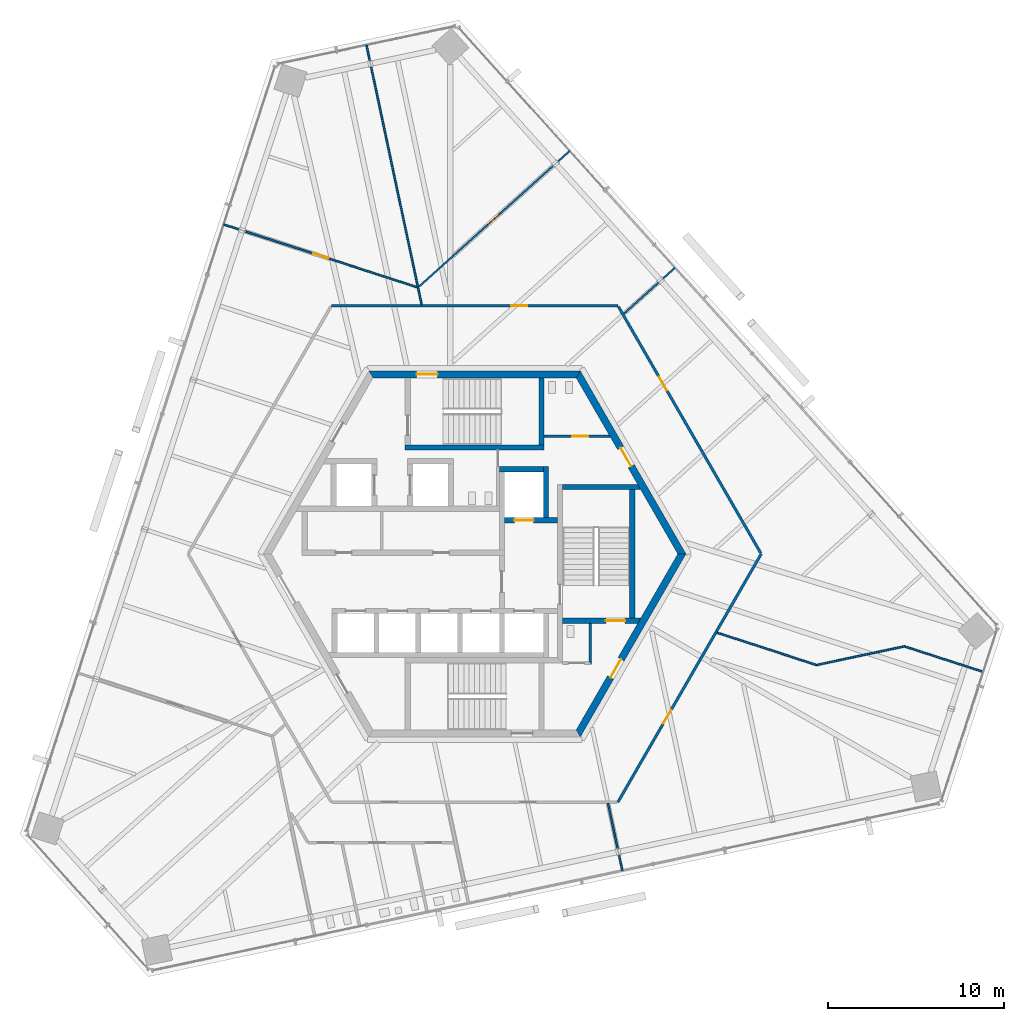
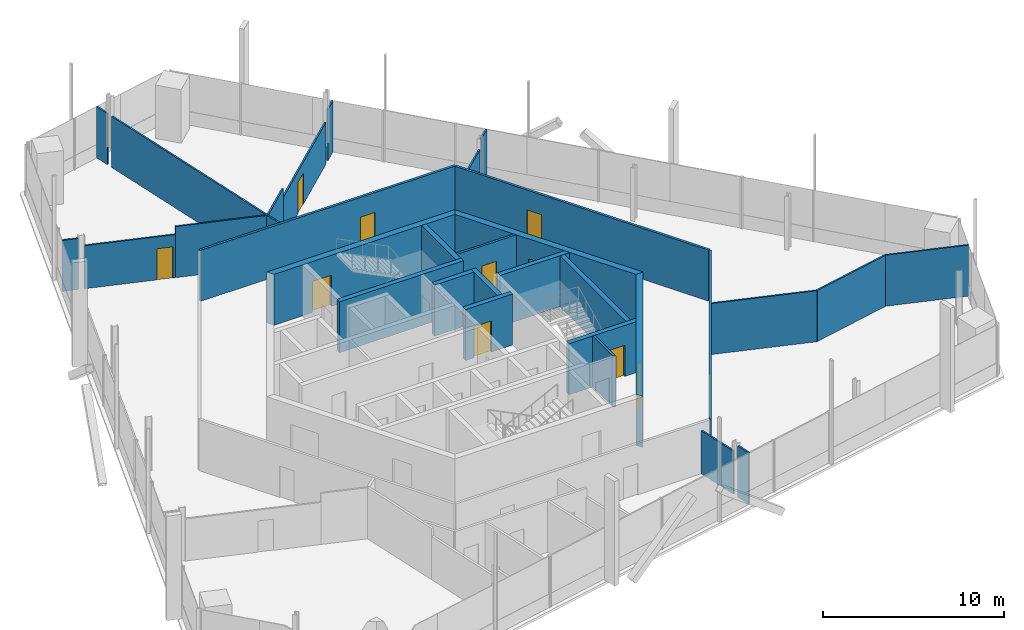
# One storey, part 12 of 17: 31 walls, 11 doors, 11 openings.
"""IFC4 building model written with IfcOpenShell, lengths in metres."""

from ifc_helpers import new_model, si_unit, direction, frame, frame_2d, origin, place, context, subcontext, project, spatial, polyline, rectangle, outline, extrude, source, transform, mapped, material, layer, layer_set, type_object, element, fill, save


model = new_model("IFC4")

# Units and contexts
model_context = context("Model", 3, precision=1e-05, world=origin(), true_north=direction((0.0, 1.0)))
body_context = subcontext(model_context, "Body", "Model", "MODEL_VIEW")
ifc_project = project(units=[si_unit("LENGTHUNIT", "METRE"), si_unit("AREAUNIT", "SQUARE_METRE"), si_unit("VOLUMEUNIT", "CUBIC_METRE"), si_unit("PLANEANGLEUNIT", "RADIAN"), si_unit("MASSUNIT", "GRAM", prefix="KILO")], contexts=[model_context])

# Site, building, storey
site_placement = place(None, origin())
site = spatial("IfcSite", under=ifc_project, at=site_placement, CompositionType="ELEMENT")
building_placement = place(site_placement, origin())
building = spatial("IfcBuilding", under=site, at=building_placement, Name="Triune Harvest Tower", CompositionType="ELEMENT")
storey_placement = place(building_placement, frame((0.0, 0.0, 273.89990234375)))
storey = spatial("IfcBuildingStorey", under=building, at=storey_placement, Name="L72", CompositionType="ELEMENT", Elevation=273.89990234375)

# Wall, opening, door
ifc_material_1 = material(Name="Gypsum board on steel studs", Category="steel")
ifc_layer_1 = layer(ifc_material_1, 0.14990234375)
ifc_layer_set_1 = layer_set([ifc_layer_1], Name="Gypsum board on steel studs")
wall_type_1 = type_object("IfcWallType", Name="Fire Partition 150 mm", PredefinedType="PARTITIONING", material=ifc_layer_set_1)
wall_1_placement = place(storey_placement, frame((8.161376953125, 14.048583984375, 0.0), z_axis=(0.0, 0.0, 1.0), x_axis=(0.500027814178, -0.866009344666, 0.0)))
wall_1 = element("IfcWall", 1, at=wall_1_placement, inside=storey, type_object=wall_type_1, Name="Partition L72 013", PredefinedType="PARTITIONING", context=body_context, shape_type="SweptSolid", body=[
    extrude(rectangle(XDim=16.17138671875, YDim=0.14990234375, at=frame_2d((8.085693359375, 0.0))), origin(), (0.0, 0.0, 1.0), 3.440185546875),
])
opening_1_placement = place(wall_1_placement, frame((4.604248046875, 0.0, 0.0)))
opening_1 = element("IfcOpeningElement", 2, at=opening_1_placement, cuts=wall_1, Name="Opening L72-001", PredefinedType="OPENING", context=body_context, shape_type="SweptSolid", body=[
    extrude(rectangle(XDim=0.89990234375, YDim=2.10009765625, at=frame_2d((0.449951171875, 1.050048828125))), frame((0.0, 0.0849609375, 0.0), z_axis=(0.0, -1.0, 0.0), x_axis=(1.0, 0.0, 0.0)), (0.0, 0.0, 1.0), 0.169921875),
])
ifc_material_2 = material(Name="Timber and steel door set", Category="steel")
door_type_1 = type_object("IfcDoorType", Name="Single leaf door FD30 left hand 900 x 2100", OperationType="SINGLE_SWING_LEFT", PredefinedType="DOOR", material=ifc_material_2)
door_1_placement = place(opening_1_placement, origin())
door_1 = element("IfcDoor", 3, at=door_1_placement, inside=storey, type_object=door_type_1, Name="Door L72-001 Open Office 72.01", OperationType="SINGLE_SWING_LEFT", OverallHeight=2.10009765625, OverallWidth=0.89990234375, PredefinedType="DOOR", context=body_context, shape_type="SweptSolid", body=[
    extrude(rectangle(XDim=0.89990234375, YDim=2.10009765625, at=frame_2d((0.449951171875, 1.050048828125))), frame((0.0, 0.02490234375, 0.0), z_axis=(0.0, -1.0, 0.0), x_axis=(1.0, 0.0, 0.0)), (0.0, 0.0, 1.0), 0.050048828125),
])
fill(opening_1, door_1)

# Walls
ifc_material_3 = material(Name="Gypsum board on steel studs", Category="steel")
ifc_layer_2 = layer(ifc_material_3, 0.10009765625)
ifc_layer_set_2 = layer_set([ifc_layer_2], Name="Gypsum board on steel studs")
wall_type_2 = type_object("IfcWallType", Name="Partition 100 mm", PredefinedType="PARTITIONING", material=ifc_layer_set_2)
wall_2_placement = place(storey_placement, frame((-5.880126953125, 27.66357421875, 0.0), z_axis=(0.0, 0.0, 1.0), x_axis=(0.207913962391, -0.978147117893, 0.0)))
element("IfcWall", 4, at=wall_2_placement, inside=storey, type_object=wall_type_2, Name="Partition L72 008", PredefinedType="PARTITIONING", context=body_context, shape_type="SweptSolid", body=[
    extrude(rectangle(XDim=13.804443359375, YDim=0.10009765625, at=frame_2d((6.90234375, 0.0))), origin(), (0.0, 0.0, 1.0), 3.440185546875),
])
wall_3_placement = place(storey_placement, frame((13.768798828125, -4.472412109375, 0.0), z_axis=(0.0, 0.0, 1.0), x_axis=(0.950992667971, -0.30921343028, 0.0)))
element("IfcWall", 5, at=wall_3_placement, inside=storey, type_object=wall_type_2, Name="Partition L72 016", PredefinedType="PARTITIONING", context=body_context, shape_type="SweptSolid", body=[
    extrude(rectangle(XDim=5.938232421875, YDim=0.10009765625, at=frame_2d((2.96923828125, 0.0))), origin(), (0.0, 0.0, 1.0), 3.440185546875),
])
wall_4_placement = place(storey_placement, frame((24.41796875, -5.25048828125, 0.0), z_axis=(0.0, 0.0, 1.0), x_axis=(0.951054714995, -0.309022538153, 0.0)))
element("IfcWall", 6, at=wall_4_placement, inside=storey, type_object=wall_type_2, Name="Partition L72 017", PredefinedType="PARTITIONING", context=body_context, shape_type="SweptSolid", body=[
    extrude(rectangle(XDim=4.692138671875, YDim=0.10009765625, at=frame_2d((2.34619140625, 0.0))), origin(), (0.0, 0.0, 1.0), 3.440185546875),
])
wall_5_placement = place(storey_placement, frame((-8.16064453125, 16.73291015625, 0.0), z_axis=(0.0, 0.0, 1.0), x_axis=(0.951045259503, -0.30905163707, 0.0)))
element("IfcWall", 7, at=wall_5_placement, inside=storey, type_object=wall_type_2, Name="Partition L72 019a", PredefinedType="PARTITIONING", context=body_context, shape_type="SweptSolid", body=[
    extrude(rectangle(XDim=5.130126953125, YDim=0.10009765625, at=frame_2d((2.56494140625, 0.0))), origin(), (0.0, 0.0, 1.0), 3.440185546875),
])
wall_6_placement = place(storey_placement, frame((19.42578125, -6.306640625, 0.0), z_axis=(0.0, 0.0, 1.0), x_axis=(0.978138504741, 0.207954479498, 0.0)))
element("IfcWall", 8, at=wall_6_placement, inside=storey, type_object=wall_type_2, Name="Partition L72 023", PredefinedType="PARTITIONING", context=body_context, shape_type="SweptSolid", body=[
    extrude(rectangle(XDim=5.093994140625, YDim=0.10009765625, at=frame_2d((2.546875, 0.0))), origin(), (0.0, 0.0, 1.0), 3.440185546875),
])
wall_7_placement = place(storey_placement, frame((-3.1630859375, 15.172607421875, 0.0), z_axis=(0.0, 0.0, 1.0), x_axis=(0.743149875306, 0.669124997914, 0.0)))
element("IfcWall", 9, at=wall_7_placement, inside=storey, type_object=wall_type_2, Name="Partition L72 027", PredefinedType="PARTITIONING", context=body_context, shape_type="SweptSolid", body=[
    extrude(rectangle(XDim=2.60888671875, YDim=0.10009765625, at=frame_2d((1.304443359375, 0.0))), origin(), (0.0, 0.0, 1.0), 3.440185546875),
])

# Wall, opening, door
ifc_material_4 = material(Name="Concrete 70 MPa", Category="concrete")
ifc_layer_3 = layer(ifc_material_4, 0.39990234375)
ifc_layer_set_3 = layer_set([ifc_layer_3], Name="Concrete 70 MPa")
wall_type_3 = type_object("IfcWallType", Name="Core wall 400", PredefinedType="SHEAR", material=ifc_layer_set_3)
shared_shape_1 = source(origin(), body_context, "Body", "SweptSolid", [
    extrude(outline(polyline([(-0.115478515625, -0.199951171875), (11.884521484375, -0.199951171875), (11.653564453125, 0.199951171875), (0.115478515625, 0.199951171875), (-0.115478515625, -0.199951171875)])), origin(), (0.0, 0.0, 1.0), 3.440185546875),
])
wall_8_placement = place(storey_placement, frame((11.76904296875, 0.0, 0.0), z_axis=(0.0, 0.0, 1.0), x_axis=(-0.499996592174, 0.866027371285, 0.0)))
wall_8 = element("IfcWall", 10, at=wall_8_placement, inside=storey, type_object=wall_type_3, Name="Hexagon 0 wall", PredefinedType="SHEAR", context=body_context, shape_type="MappedRepresentation", body=[
    mapped(shared_shape_1, transform((0.0, 0.0, 0.0), scale=1.0)),
])
opening_2_placement = place(wall_8_placement, frame((5.75048828125, 0.0, 0.0)))
opening_2 = element("IfcOpeningElement", 11, at=opening_2_placement, cuts=wall_8, Name="Opening CD-WCP", PredefinedType="OPENING", context=body_context, shape_type="SweptSolid", body=[
    extrude(rectangle(XDim=1.199951171875, YDim=2.10009765625, at=frame_2d((0.60009765625, 1.050048828125))), frame((0.0, 0.2099609375, 0.0), z_axis=(0.0, -1.0, 0.0), x_axis=(1.0, 0.0, 0.0)), (0.0, 0.0, 1.0), 0.419921875),
])
ifc_material_5 = material(Name="Steel S235", Category="steel")
door_type_2 = type_object("IfcDoorType", Name="Lobby door 1200 FD120", OperationType="SINGLE_SWING_LEFT", PredefinedType="DOOR", material=ifc_material_5)
door_2_placement = place(opening_2_placement, frame((1.199951171875, 0.0, 0.0), z_axis=(0.0, 0.0, 1.0), x_axis=(-1.0, 0.0, 0.0)))
door_2 = element("IfcDoor", 12, at=door_2_placement, inside=storey, type_object=door_type_2, Name="Door CD-WCP", OperationType="SINGLE_SWING_RIGHT", OverallHeight=2.10009765625, OverallWidth=1.199951171875, PredefinedType="DOOR", context=body_context, shape_type="SweptSolid", body=[
    extrude(rectangle(XDim=1.199951171875, YDim=2.10009765625, at=frame_2d((0.60009765625, 1.050048828125))), frame((0.0, 0.02490234375, 0.0), z_axis=(0.0, -1.0, 0.0), x_axis=(1.0, 0.0, 0.0)), (0.0, 0.0, 1.0), 0.050048828125),
])
fill(opening_2, door_2)

wall_9_placement = place(storey_placement, frame((5.884521484375, 10.1923828125, 0.0), z_axis=(0.0, 0.0, 1.0), x_axis=(-1.0, 0.0, 0.0)))
wall_9 = element("IfcWall", 13, at=wall_9_placement, inside=storey, type_object=wall_type_3, Name="Hexagon 1 wall", PredefinedType="SHEAR", context=body_context, shape_type="MappedRepresentation", body=[
    mapped(shared_shape_1, transform((0.0, 0.0, 0.0), scale=1.0)),
])
opening_3_placement = place(wall_9_placement, frame((7.984619140625, 0.0, 0.0)))
opening_3 = element("IfcOpeningElement", 14, at=opening_3_placement, cuts=wall_9, Name="Opening CD-S1P", PredefinedType="OPENING", context=body_context, shape_type="SweptSolid", body=[
    extrude(rectangle(XDim=1.199951171875, YDim=2.10009765625, at=frame_2d((0.60009765625, 1.050048828125))), frame((0.0, 0.2099609375, 0.0), z_axis=(0.0, -1.0, 0.0), x_axis=(1.0, 0.0, 0.0)), (0.0, 0.0, 1.0), 0.419921875),
])
ifc_material_6 = material(Name="Steel S235", Category="steel")
door_type_3 = type_object("IfcDoorType", Name="Stair door 1200 FD120", OperationType="SINGLE_SWING_LEFT", PredefinedType="DOOR", material=ifc_material_6)
door_3_placement = place(opening_3_placement, frame((1.199951171875, 0.0, 0.0), z_axis=(0.0, 0.0, 1.0), x_axis=(-1.0, 0.0, 0.0)))
door_3 = element("IfcDoor", 15, at=door_3_placement, inside=storey, type_object=door_type_3, Name="Door CD-S1P", OperationType="SINGLE_SWING_RIGHT", OverallHeight=2.10009765625, OverallWidth=1.199951171875, PredefinedType="DOOR", context=body_context, shape_type="SweptSolid", body=[
    extrude(rectangle(XDim=1.199951171875, YDim=2.10009765625, at=frame_2d((0.60009765625, 1.050048828125))), frame((0.0, 0.02490234375, 0.0), z_axis=(0.0, -1.0, 0.0), x_axis=(1.0, 0.0, 0.0)), (0.0, 0.0, 1.0), 0.050048828125),
])
fill(opening_3, door_3)

wall_10_placement = place(storey_placement, frame((5.884521484375, -10.1923828125, 0.0), z_axis=(0.0, 0.0, 1.0), x_axis=(0.499996592174, 0.866027371285, 0.0)))
wall_10 = element("IfcWall", 16, at=wall_10_placement, inside=storey, type_object=wall_type_3, Name="Hexagon 5 wall", PredefinedType="SHEAR", context=body_context, shape_type="MappedRepresentation", body=[
    mapped(shared_shape_1, transform((0.0, 0.0, 0.0), scale=1.0)),
])
opening_4_placement = place(wall_10_placement, frame((3.66455078125, 0.0, 0.0)))
opening_4 = element("IfcOpeningElement", 17, at=opening_4_placement, cuts=wall_10, Name="Opening CD-DP", PredefinedType="OPENING", context=body_context, shape_type="SweptSolid", body=[
    extrude(rectangle(XDim=1.199951171875, YDim=2.10009765625, at=frame_2d((0.60009765625, 1.050048828125))), frame((0.0, 0.2099609375, 0.0), z_axis=(0.0, -1.0, 0.0), x_axis=(1.0, 0.0, 0.0)), (0.0, 0.0, 1.0), 0.419921875),
])
door_4_placement = place(opening_4_placement, frame((1.199951171875, 0.0, 0.0), z_axis=(0.0, 0.0, 1.0), x_axis=(-1.0, 0.0, 0.0)))
door_4 = element("IfcDoor", 18, at=door_4_placement, inside=storey, type_object=door_type_3, Name="Door CD-DP", OperationType="SINGLE_SWING_RIGHT", OverallHeight=2.10009765625, OverallWidth=1.199951171875, PredefinedType="DOOR", context=body_context, shape_type="SweptSolid", body=[
    extrude(rectangle(XDim=1.199951171875, YDim=2.10009765625, at=frame_2d((0.60009765625, 1.050048828125))), frame((0.0, 0.02490234375, 0.0), z_axis=(0.0, -1.0, 0.0), x_axis=(1.0, 0.0, 0.0)), (0.0, 0.0, 1.0), 0.050048828125),
])
fill(opening_4, door_4)

# Wall
ifc_material_7 = material(Name="Concrete 70 MPa", Category="concrete")
ifc_layer_4 = layer(ifc_material_7, 0.300048828125)
ifc_layer_set_4 = layer_set([ifc_layer_4], Name="Concrete 70 MPa")
wall_type_4 = type_object("IfcWallType", Name="Core wall 300", PredefinedType="SHEAR", material=ifc_layer_set_4)
shared_shape_2 = source(origin(), body_context, "Body", "SweptSolid", [
    extrude(rectangle(XDim=2.5, YDim=0.300048828125, at=frame_2d((1.25, 0.0))), origin(), (0.0, 0.0, 1.0), 3.440185546875),
])
wall_11_placement = place(storey_placement, frame((1.39990234375, 4.81005859375, 0.0), z_axis=(0.0, 0.0, 1.0), x_axis=(1.0, 0.0, 0.0)))
element("IfcWall", 19, at=wall_11_placement, inside=storey, type_object=wall_type_4, Name="Ff1 back wall", PredefinedType="SHEAR", context=body_context, shape_type="MappedRepresentation", body=[
    mapped(shared_shape_2, transform((0.0, 0.0, 0.0), scale=1.0)),
])

# Wall, opening, door
shared_shape_3 = source(origin(), body_context, "Body", "SweptSolid", [
    extrude(rectangle(XDim=3.0, YDim=0.300048828125, at=frame_2d((1.5, 0.0))), origin(), (0.0, 0.0, 1.0), 3.440185546875),
])
wall_12_placement = place(storey_placement, frame((1.699951171875, 1.909912109375, 0.0), z_axis=(0.0, 0.0, 1.0), x_axis=(1.0, 0.0, 0.0)))
wall_12 = element("IfcWall", 20, at=wall_12_placement, inside=storey, type_object=wall_type_4, Name="Ff1 front wall", PredefinedType="SHEAR", context=body_context, shape_type="MappedRepresentation", body=[
    mapped(shared_shape_3, transform((0.0, 0.0, 0.0), scale=1.0)),
])
opening_5_placement = place(wall_12_placement, frame((0.550048828125, 0.0, 0.0)))
opening_5 = element("IfcOpeningElement", 21, at=opening_5_placement, cuts=wall_12, Name="Opening LD-FF1-72", PredefinedType="OPENING", context=body_context, shape_type="SweptSolid", body=[
    extrude(rectangle(XDim=1.10009765625, YDim=2.10009765625, at=frame_2d((0.550048828125, 1.050048828125))), frame((0.0, 0.16015625, 0.0), z_axis=(0.0, -1.0, 0.0), x_axis=(1.0, 0.0, 0.0)), (0.0, 0.0, 1.0), 0.320068359375),
])
ifc_material_8 = material(Name="Stainless steel AISI 304", Category="steel")
door_type_4 = type_object("IfcDoorType", Name="Landing door 1100 x 2100", OperationType="DOUBLE_DOOR_SLIDING", PredefinedType="DOOR", material=ifc_material_8)
door_5_placement = place(opening_5_placement, origin())
door_5 = element("IfcDoor", 22, at=door_5_placement, inside=storey, type_object=door_type_4, Name="Door LD-FF1-72", OperationType="DOUBLE_DOOR_SLIDING", OverallHeight=2.10009765625, OverallWidth=1.10009765625, PredefinedType="DOOR", context=body_context, shape_type="SweptSolid", body=[
    extrude(rectangle(XDim=1.10009765625, YDim=2.10009765625, at=frame_2d((0.550048828125, 1.050048828125))), frame((0.0, 0.02490234375, 0.0), z_axis=(0.0, -1.0, 0.0), x_axis=(1.0, 0.0, 0.0)), (0.0, 0.0, 1.0), 0.050048828125),
])
fill(opening_5, door_5)

# Walls
shared_shape_4 = source(origin(), body_context, "Body", "SweptSolid", [
    extrude(rectangle(XDim=2.89990234375, YDim=0.300048828125, at=frame_2d((1.449951171875, 0.0))), origin(), (0.0, 0.0, 1.0), 3.440185546875),
])
wall_13_placement = place(storey_placement, frame((4.050048828125, 2.06005859375, 0.0), z_axis=(0.0, 0.0, 1.0), x_axis=(0.0, 1.0, 0.0)))
element("IfcWall", 23, at=wall_13_placement, inside=storey, type_object=wall_type_4, Name="Ff1 east wall", PredefinedType="SHEAR", context=body_context, shape_type="MappedRepresentation", body=[
    mapped(shared_shape_4, transform((0.0, 0.0, 0.0), scale=1.0)),
])
shared_shape_5 = source(origin(), body_context, "Body", "SweptSolid", [
    extrude(outline(polyline([(0.0, -0.14990234375), (0.0, 0.14990234375), (4.260009765625, 0.14990234375), (4.43310546875, -0.14990234375), (0.0, -0.14990234375)])), origin(), (0.0, 0.0, 1.0), 3.440185546875),
])
wall_14_placement = place(storey_placement, frame((5.0, 3.800048828125, 0.0), z_axis=(0.0, 0.0, 1.0), x_axis=(1.0, 0.0, 0.0)))
element("IfcWall", 24, at=wall_14_placement, inside=storey, type_object=wall_type_4, Name="Stair e north wall", PredefinedType="SHEAR", context=body_context, shape_type="MappedRepresentation", body=[
    mapped(shared_shape_5, transform((0.0, 0.0, 0.0), scale=1.0)),
])

# Wall, opening, door
shared_shape_6 = source(origin(), body_context, "Body", "SweptSolid", [
    extrude(outline(polyline([(0.0, -0.14990234375), (0.0, 0.14990234375), (4.43310546875, 0.14990234375), (4.260009765625, -0.14990234375), (0.0, -0.14990234375)])), origin(), (0.0, 0.0, 1.0), 3.440185546875),
])
wall_15_placement = place(storey_placement, frame((5.0, -3.800048828125, 0.0), z_axis=(0.0, 0.0, 1.0), x_axis=(1.0, 0.0, 0.0)))
wall_15 = element("IfcWall", 25, at=wall_15_placement, inside=storey, type_object=wall_type_4, Name="Stair e south wall", PredefinedType="SHEAR", context=body_context, shape_type="MappedRepresentation", body=[
    mapped(shared_shape_6, transform((0.0, 0.0, 0.0), scale=1.0)),
])
opening_6_placement = place(wall_15_placement, frame((2.449951171875, 0.0, 0.0)))
opening_6 = element("IfcOpeningElement", 26, at=opening_6_placement, cuts=wall_15, Name="Opening CD-S3D", PredefinedType="OPENING", context=body_context, shape_type="SweptSolid", body=[
    extrude(rectangle(XDim=1.10009765625, YDim=2.10009765625, at=frame_2d((0.550048828125, 1.050048828125))), frame((0.0, 0.16015625, 0.0), z_axis=(0.0, -1.0, 0.0), x_axis=(1.0, 0.0, 0.0)), (0.0, 0.0, 1.0), 0.320068359375),
])
ifc_material_9 = material(Name="Steel S235", Category="steel")
door_type_5 = type_object("IfcDoorType", Name="Stair door 1100 FD120", OperationType="SINGLE_SWING_LEFT", PredefinedType="DOOR", material=ifc_material_9)
door_6_placement = place(opening_6_placement, frame((1.10009765625, 0.0, 0.0), z_axis=(0.0, 0.0, 1.0), x_axis=(-1.0, 0.0, 0.0)))
door_6 = element("IfcDoor", 27, at=door_6_placement, inside=storey, type_object=door_type_5, Name="Door CD-S3D", OperationType="SINGLE_SWING_RIGHT", OverallHeight=2.10009765625, OverallWidth=1.10009765625, PredefinedType="DOOR", context=body_context, shape_type="SweptSolid", body=[
    extrude(rectangle(XDim=1.10009765625, YDim=2.10009765625, at=frame_2d((0.550048828125, 1.050048828125))), frame((0.0, 0.02490234375, 0.0), z_axis=(0.0, -1.0, 0.0), x_axis=(1.0, 0.0, 0.0)), (0.0, 0.0, 1.0), 0.050048828125),
])
fill(opening_6, door_6)

# Walls
shared_shape_7 = source(origin(), body_context, "Body", "SweptSolid", [
    extrude(rectangle(XDim=7.2998046875, YDim=0.300048828125, at=frame_2d((3.64990234375, 0.0))), origin(), (0.0, 0.0, 1.0), 3.440185546875),
])
wall_16_placement = place(storey_placement, frame((8.949951171875, -3.64990234375, 0.0), z_axis=(0.0, 0.0, 1.0), x_axis=(0.0, 1.0, 0.0)))
element("IfcWall", 28, at=wall_16_placement, inside=storey, type_object=wall_type_4, Name="Stair e east wall", PredefinedType="SHEAR", context=body_context, shape_type="MappedRepresentation", body=[
    mapped(shared_shape_7, transform((0.0, 0.0, 0.0), scale=1.0)),
])
shared_shape_8 = source(origin(), body_context, "Body", "SweptSolid", [
    extrude(rectangle(XDim=7.89990234375, YDim=0.300048828125, at=frame_2d((3.949951171875, 0.0))), origin(), (0.0, 0.0, 1.0), 3.440185546875),
])
wall_17_placement = place(storey_placement, frame((-3.949951171875, 6.0400390625, 0.0), z_axis=(0.0, 0.0, 1.0), x_axis=(1.0, 0.0, 0.0)))
element("IfcWall", 29, at=wall_17_placement, inside=storey, type_object=wall_type_4, Name="Stair n south wall", PredefinedType="SHEAR", context=body_context, shape_type="MappedRepresentation", body=[
    mapped(shared_shape_8, transform((0.0, 0.0, 0.0), scale=1.0)),
])
shared_shape_9 = source(origin(), body_context, "Body", "SweptSolid", [
    extrude(outline(polyline([(0.0, -0.14990234375), (0.0, 0.14990234375), (3.80419921875, 0.14990234375), (3.80419921875, -0.14990234375), (0.0, -0.14990234375)])), origin(), (0.0, 0.0, 1.0), 3.440185546875),
])
wall_18_placement = place(storey_placement, frame((3.800048828125, 6.18994140625, 0.0), z_axis=(0.0, 0.0, 1.0), x_axis=(0.0, 1.0, 0.0)))
element("IfcWall", 30, at=wall_18_placement, inside=storey, type_object=wall_type_4, Name="Stair n east wall", PredefinedType="SHEAR", context=body_context, shape_type="MappedRepresentation", body=[
    mapped(shared_shape_9, transform((0.0, 0.0, 0.0), scale=1.0)),
])

# Wall, opening, door
ifc_material_10 = material(Name="Concrete masonry unit", Category="masonry")
ifc_layer_5 = layer(ifc_material_10, 0.14990234375)
ifc_layer_set_5 = layer_set([ifc_layer_5], Name="Concrete masonry unit")
wall_type_5 = type_object("IfcWallType", Name="Block partition 150 unrated", PredefinedType="PARTITIONING", material=ifc_layer_set_5)
shared_shape_10 = source(origin(), body_context, "Body", "SweptSolid", [
    extrude(outline(polyline([(0.0, -0.074951171875), (0.0, 0.074951171875), (3.693359375, 0.074951171875), (3.77978515625, -0.074951171875), (0.0, -0.074951171875)])), origin(), (0.0, 0.0, 1.0), 3.440185546875),
])
wall_19_placement = place(storey_placement, frame((3.949951171875, 6.675048828125, 0.0), z_axis=(0.0, 0.0, 1.0), x_axis=(1.0, 0.0, 0.0)))
wall_19 = element("IfcWall", 31, at=wall_19_placement, inside=storey, type_object=wall_type_5, Name="Wc women south wall", PredefinedType="PARTITIONING", context=body_context, shape_type="MappedRepresentation", body=[
    mapped(shared_shape_10, transform((0.0, 0.0, 0.0), scale=1.0)),
])
opening_7_placement = place(wall_19_placement, frame((1.60009765625, 0.0, 0.0)))
opening_7 = element("IfcOpeningElement", 32, at=opening_7_placement, cuts=wall_19, Name="Opening CD-WW", PredefinedType="OPENING", context=body_context, shape_type="SweptSolid", body=[
    extrude(rectangle(XDim=0.89990234375, YDim=2.10009765625, at=frame_2d((0.449951171875, 1.050048828125))), frame((0.0, 0.0849609375, 0.0), z_axis=(0.0, -1.0, 0.0), x_axis=(1.0, 0.0, 0.0)), (0.0, 0.0, 1.0), 0.169921875),
])
ifc_material_11 = material(Name="Timber C24", Category="wood")
door_type_6 = type_object("IfcDoorType", Name="WC door 900", OperationType="SINGLE_SWING_LEFT", PredefinedType="DOOR", material=ifc_material_11)
door_7_placement = place(opening_7_placement, origin())
door_7 = element("IfcDoor", 33, at=door_7_placement, inside=storey, type_object=door_type_6, Name="Door CD-WW", OperationType="SINGLE_SWING_LEFT", OverallHeight=2.10009765625, OverallWidth=0.89990234375, PredefinedType="DOOR", context=body_context, shape_type="SweptSolid", body=[
    extrude(rectangle(XDim=0.89990234375, YDim=2.10009765625, at=frame_2d((0.449951171875, 1.050048828125))), frame((0.0, 0.02490234375, 0.0), z_axis=(0.0, -1.0, 0.0), x_axis=(1.0, 0.0, 0.0)), (0.0, 0.0, 1.0), 0.050048828125),
])
fill(opening_7, door_7)

# Walls
shared_shape_11 = source(origin(), body_context, "Body", "SweptSolid", [
    extrude(outline(polyline([(-0.074951171875, -0.074951171875), (2.239990234375, -0.074951171875), (2.239990234375, 0.074951171875), (0.074951171875, 0.074951171875), (-0.074951171875, -0.074951171875)])), origin(), (0.0, 0.0, 1.0), 3.440185546875),
])
wall_20_placement = place(storey_placement, frame((6.574951171875, -6.18994140625, 0.0), z_axis=(0.0, 0.0, 1.0), x_axis=(0.0, 1.0, 0.0)))
element("IfcWall", 34, at=wall_20_placement, inside=storey, type_object=wall_type_5, Name="Wc acc east wall", PredefinedType="PARTITIONING", context=body_context, shape_type="MappedRepresentation", body=[
    mapped(shared_shape_11, transform((0.0, 0.0, 0.0), scale=1.0)),
])
shared_shape_12 = source(origin(), body_context, "Body", "SweptSolid", [
    extrude(rectangle(XDim=2.64794921875, YDim=0.10009765625, at=frame_2d((1.323974609375, 0.0))), origin(), (0.0, 0.0, 1.0), 2.904052734375),
])
for number, where, z_axis, x_axis, name in (
    (35, (7.57373046875, -14.160888671875, 0.0), (0.0, 0.0, 1.0), (0.207910582603, -0.978147836291, 0.0), "Partition L72 009"),
    (36, (8.476806640625, 13.639404296875, 0.0), (0.0, 0.0, 1.0), (0.743156590074, 0.669117540219, 0.0), "Partition L72 025"),
):
    element("IfcWall", number, at=place(storey_placement, frame(where, z_axis=z_axis, x_axis=x_axis)), inside=storey, type_object=wall_type_2, Name=name, PredefinedType="PARTITIONING", context=body_context, shape_type="MappedRepresentation", body=[
        mapped(shared_shape_12, transform((0.0, 0.0, 0.0), scale=1.0)),
    ])

# Wall, opening, door
shared_shape_13 = source(origin(), body_context, "Body", "SweptSolid", [
    extrude(rectangle(XDim=5.14208984375, YDim=0.10009765625, at=frame_2d((2.571044921875, 0.0))), origin(), (0.0, 0.0, 1.0), 2.904052734375),
])
wall_21_placement = place(storey_placement, frame((-13.051025390625, 18.32177734375, 0.0), z_axis=(0.0, 0.0, 1.0), x_axis=(0.951063024671, -0.308996962935, 0.0)))
wall_21 = element("IfcWall", 37, at=wall_21_placement, inside=storey, type_object=wall_type_2, Name="Partition L72 019", PredefinedType="PARTITIONING", context=body_context, shape_type="MappedRepresentation", body=[
    mapped(shared_shape_13, transform((0.0, 0.0, 0.0), scale=1.0)),
])
opening_8_placement = place(wall_21_placement, frame((4.092041015625, 0.0, 0.0)))
opening_8 = element("IfcOpeningElement", 38, at=opening_8_placement, cuts=wall_21, Name="Opening L72-004", PredefinedType="OPENING", context=body_context, shape_type="SweptSolid", body=[
    extrude(rectangle(XDim=0.89990234375, YDim=2.10009765625, at=frame_2d((0.449951171875, 1.050048828125))), frame((0.0, 0.06005859375, 0.0), z_axis=(0.0, -1.0, 0.0), x_axis=(1.0, 0.0, 0.0)), (0.0, 0.0, 1.0), 0.1201171875),
])
ifc_material_12 = material(Name="Timber and steel door set", Category="steel")
door_type_7 = type_object("IfcDoorType", Name="Single leaf door left hand 900 x 2100", OperationType="SINGLE_SWING_LEFT", PredefinedType="DOOR", material=ifc_material_12)
door_8_placement = place(opening_8_placement, origin())
door_8 = element("IfcDoor", 39, at=door_8_placement, inside=storey, type_object=door_type_7, Name="Door L72-004 Pantry 72.04", OperationType="SINGLE_SWING_LEFT", OverallHeight=2.10009765625, OverallWidth=0.89990234375, PredefinedType="DOOR", context=body_context, shape_type="SweptSolid", body=[
    extrude(rectangle(XDim=0.89990234375, YDim=2.10009765625, at=frame_2d((0.449951171875, 1.050048828125))), frame((0.0, 0.02490234375, 0.0), z_axis=(0.0, -1.0, 0.0), x_axis=(1.0, 0.0, 0.0)), (0.0, 0.0, 1.0), 0.050048828125),
])
fill(opening_8, door_8)

# Walls
shared_shape_14 = source(origin(), body_context, "Body", "SweptSolid", [
    extrude(rectangle(XDim=0.91552734375, YDim=0.10009765625, at=frame_2d((0.457763671875, 0.0))), origin(), (0.0, 0.0, 1.0), 3.440185546875),
])
for number, where, z_axis, x_axis, name in (
    (40, (-6.14111328125, 28.89208984375, 0.0), (0.0, 0.0, 1.0), (0.207743933161, -0.978183243689, 0.0), "Partition L72 007"),
    (41, (8.195068359375, -17.083984375, 0.0), (0.0, 0.0, 1.0), (0.207999082957, -0.978129020881, 0.0), "Partition L72 010"),
    (42, (-14.24560546875, 18.7099609375, 0.0), (0.0, 0.0, 1.0), (0.951030148904, -0.309098133084, 0.0), "Partition L72 018"),
):
    element("IfcWall", number, at=place(storey_placement, frame(where, z_axis=z_axis, x_axis=x_axis)), inside=storey, type_object=wall_type_2, Name=name, PredefinedType="PARTITIONING", context=body_context, shape_type="MappedRepresentation", body=[
        mapped(shared_shape_14, transform((0.0, 0.0, 0.0), scale=1.0)),
    ])

# Wall, opening, door
shared_shape_15 = source(origin(), body_context, "Body", "SweptSolid", [
    extrude(rectangle(XDim=16.2724609375, YDim=0.14990234375, at=frame_2d((8.13623046875, 0.0))), origin(), (0.0, 0.0, 1.0), 3.440185546875),
])
wall_22_placement = place(storey_placement, frame((-8.13623046875, 14.09228515625, 0.0), z_axis=(0.0, 0.0, 1.0), x_axis=(1.0, 0.0, 0.0)))
wall_22 = element("IfcWall", 43, at=wall_22_placement, inside=storey, type_object=wall_type_1, Name="Partition L72 022", PredefinedType="PARTITIONING", context=body_context, shape_type="MappedRepresentation", body=[
    mapped(shared_shape_15, transform((0.0, 0.0, 0.0), scale=1.0)),
])
opening_9_placement = place(wall_22_placement, frame((10.222412109375, 0.0, 0.0)))
opening_9 = element("IfcOpeningElement", 44, at=opening_9_placement, cuts=wall_22, Name="Opening L72-002", PredefinedType="OPENING", context=body_context, shape_type="SweptSolid", body=[
    extrude(rectangle(XDim=0.89990234375, YDim=2.10009765625, at=frame_2d((0.449951171875, 1.050048828125))), frame((0.0, 0.0849609375, 0.0), z_axis=(0.0, -1.0, 0.0), x_axis=(1.0, 0.0, 0.0)), (0.0, 0.0, 1.0), 0.169921875),
])
ifc_material_13 = material(Name="Timber and steel door set", Category="steel")
door_type_8 = type_object("IfcDoorType", Name="Single leaf door FD30 right hand 900 x 2100", OperationType="SINGLE_SWING_RIGHT", PredefinedType="DOOR", material=ifc_material_13)
door_9_placement = place(opening_9_placement, origin())
door_9 = element("IfcDoor", 45, at=door_9_placement, inside=storey, type_object=door_type_8, Name="Door L72-002 Open Office 72.02", OperationType="SINGLE_SWING_RIGHT", OverallHeight=2.10009765625, OverallWidth=0.89990234375, PredefinedType="DOOR", context=body_context, shape_type="SweptSolid", body=[
    extrude(rectangle(XDim=0.89990234375, YDim=2.10009765625, at=frame_2d((0.449951171875, 1.050048828125))), frame((0.0, 0.02490234375, 0.0), z_axis=(0.0, -1.0, 0.0), x_axis=(1.0, 0.0, 0.0)), (0.0, 0.0, 1.0), 0.050048828125),
])
fill(opening_9, door_9)

wall_23_placement = place(storey_placement, frame((8.13623046875, -14.09228515625, 0.0), z_axis=(0.0, 0.0, 1.0), x_axis=(0.500002112793, 0.866024183959, 0.0)))
wall_23 = element("IfcWall", 46, at=wall_23_placement, inside=storey, type_object=wall_type_1, Name="Partition L72 029", PredefinedType="PARTITIONING", context=body_context, shape_type="MappedRepresentation", body=[
    mapped(shared_shape_15, transform((0.0, 0.0, 0.0), scale=1.0)),
])
opening_10_placement = place(wall_23_placement, frame((5.14990234375, 0.0, 0.0)))
opening_10 = element("IfcOpeningElement", 47, at=opening_10_placement, cuts=wall_23, Name="Opening L72-012", PredefinedType="OPENING", context=body_context, shape_type="SweptSolid", body=[
    extrude(rectangle(XDim=0.89990234375, YDim=2.10009765625, at=frame_2d((0.449951171875, 1.050048828125))), frame((0.0, 0.0849609375, 0.0), z_axis=(0.0, -1.0, 0.0), x_axis=(1.0, 0.0, 0.0)), (0.0, 0.0, 1.0), 0.169921875),
])
door_10_placement = place(opening_10_placement, origin())
door_10 = element("IfcDoor", 48, at=door_10_placement, inside=storey, type_object=door_type_8, Name="Door L72-012 Open Office 72.12", OperationType="SINGLE_SWING_RIGHT", OverallHeight=2.10009765625, OverallWidth=0.89990234375, PredefinedType="DOOR", context=body_context, shape_type="SweptSolid", body=[
    extrude(rectangle(XDim=0.89990234375, YDim=2.10009765625, at=frame_2d((0.449951171875, 1.050048828125))), frame((0.0, 0.02490234375, 0.0), z_axis=(0.0, -1.0, 0.0), x_axis=(1.0, 0.0, 0.0)), (0.0, 0.0, 1.0), 0.050048828125),
])
fill(opening_10, door_10)

shared_shape_16 = source(origin(), body_context, "Body", "SweptSolid", [
    extrude(rectangle(XDim=7.663330078125, YDim=0.10009765625, at=frame_2d((3.83154296875, 0.0))), origin(), (0.0, 0.0, 1.0), 2.827880859375),
])
wall_24_placement = place(storey_placement, frame((-1.224365234375, 16.918212890625, 0.0), z_axis=(0.0, 0.0, 1.0), x_axis=(0.743156312941, 0.669117848018, 0.0)))
wall_24 = element("IfcWall", 49, at=wall_24_placement, inside=storey, type_object=wall_type_2, Name="Partition L72 027a", PredefinedType="PARTITIONING", context=body_context, shape_type="MappedRepresentation", body=[
    mapped(shared_shape_16, transform((0.0, 0.0, 0.0), scale=1.0)),
])
opening_11_placement = place(wall_24_placement, frame((2.669189453125, 0.0, 0.0)))
opening_11 = element("IfcOpeningElement", 50, at=opening_11_placement, cuts=wall_24, Name="Opening L72-003", PredefinedType="OPENING", context=body_context, shape_type="SweptSolid", body=[
    extrude(rectangle(XDim=0.89990234375, YDim=2.10009765625, at=frame_2d((0.449951171875, 1.050048828125))), frame((0.0, 0.06005859375, 0.0), z_axis=(0.0, -1.0, 0.0), x_axis=(1.0, 0.0, 0.0)), (0.0, 0.0, 1.0), 0.1201171875),
])
ifc_material_14 = material(Name="Timber and steel door set", Category="steel")
door_type_9 = type_object("IfcDoorType", Name="Single leaf door right hand 900 x 2100", OperationType="SINGLE_SWING_RIGHT", PredefinedType="DOOR", material=ifc_material_14)
door_11_placement = place(opening_11_placement, origin())
door_11 = element("IfcDoor", 51, at=door_11_placement, inside=storey, type_object=door_type_9, Name="Door L72-003 Reception 72.03", OperationType="SINGLE_SWING_RIGHT", OverallHeight=2.10009765625, OverallWidth=0.89990234375, PredefinedType="DOOR", context=body_context, shape_type="SweptSolid", body=[
    extrude(rectangle(XDim=0.89990234375, YDim=2.10009765625, at=frame_2d((0.449951171875, 1.050048828125))), frame((0.0, 0.02490234375, 0.0), z_axis=(0.0, -1.0, 0.0), x_axis=(1.0, 0.0, 0.0)), (0.0, 0.0, 1.0), 0.050048828125),
])
fill(opening_11, door_11)

# Walls
shared_shape_17 = source(origin(), body_context, "Body", "SweptSolid", [
    extrude(rectangle(XDim=0.915283203125, YDim=0.10009765625, at=frame_2d((0.45751953125, 0.0))), origin(), (0.0, 0.0, 1.0), 3.440185546875),
])
for number, where, z_axis, x_axis, name in (
    (52, (10.69775390625, 15.63916015625, 0.0), (0.0, 0.0, 1.0), (0.743081911728, 0.669200472551, 0.0), "Partition L72 026"),
    (53, (4.723876953125, 22.27392578125, 0.0), (0.0, 0.0, 1.0), (0.743081911728, 0.669200472551, 0.0), "Partition L72 028"),
):
    element("IfcWall", number, at=place(storey_placement, frame(where, z_axis=z_axis, x_axis=x_axis)), inside=storey, type_object=wall_type_2, Name=name, PredefinedType="PARTITIONING", context=body_context, shape_type="MappedRepresentation", body=[
        mapped(shared_shape_17, transform((0.0, 0.0, 0.0), scale=1.0)),
    ])

save(model, "model.ifc")
